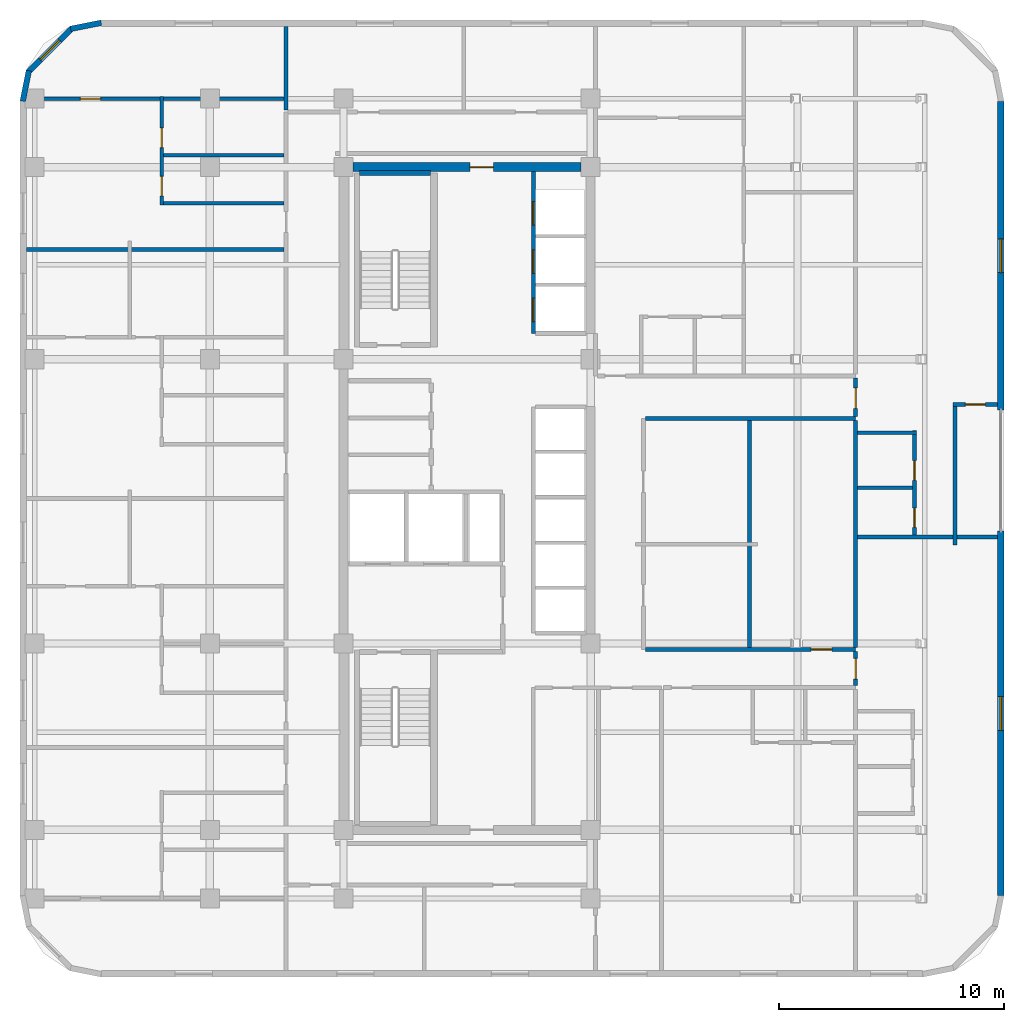
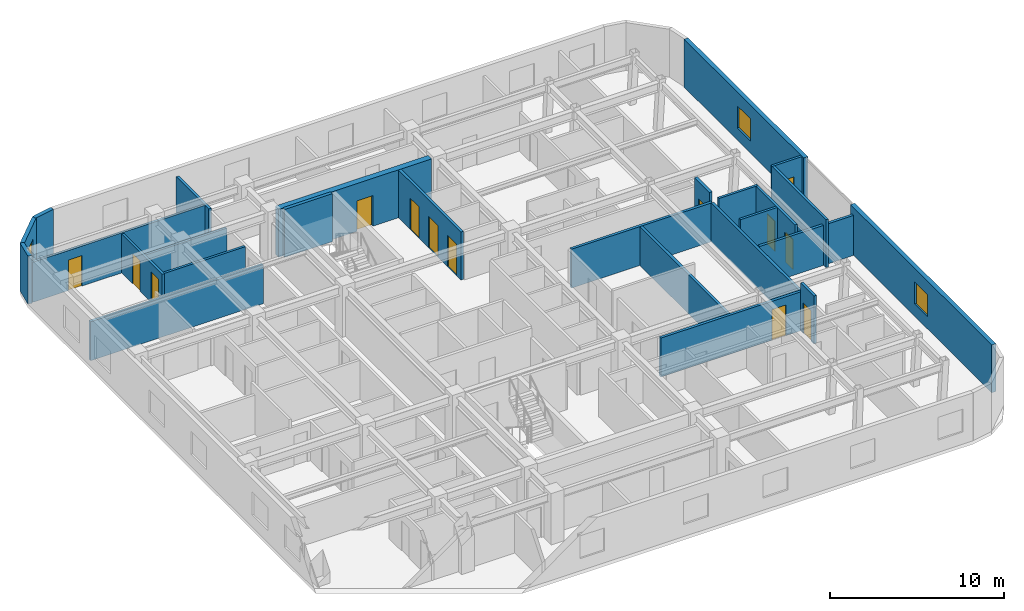
# One storey, part 7 of 9: 26 walls, 13 doors, 3 windows, 16 openings.
"""IFC4 building model written with IfcOpenShell, lengths in metres."""

from ifc_helpers import new_model, si_unit, direction, frame, frame_2d, origin, place, context, subcontext, project, spatial, rectangle, extrude, material, layer, layer_set, type_object, element, fill, save


model = new_model("IFC4")

# Units and contexts
model_context = context("Model", 3, precision=1e-05, world=origin(), true_north=direction((0.0, 1.0)))
body_context = subcontext(model_context, "Body", "Model", "MODEL_VIEW")
ifc_project = project(units=[si_unit("LENGTHUNIT", "METRE"), si_unit("AREAUNIT", "SQUARE_METRE"), si_unit("VOLUMEUNIT", "CUBIC_METRE"), si_unit("PLANEANGLEUNIT", "RADIAN"), si_unit("MASSUNIT", "GRAM", prefix="KILO")], contexts=[model_context])

# Site, building, storey
site_placement = place(None, origin())
site = spatial("IfcSite", under=ifc_project, at=site_placement, CompositionType="ELEMENT")
building_placement = place(site_placement, origin())
building = spatial("IfcBuilding", under=site, at=building_placement, Name="Ochreholt Gables", CompositionType="ELEMENT")
storey_placement = place(building_placement, frame((0.0, 0.0, 124.800048828125)))
storey = spatial("IfcBuildingStorey", under=building, at=storey_placement, Name="L32", CompositionType="ELEMENT", Elevation=124.800048828125)

# Wall, opening, door
ifc_material_1 = material(Name="Concrete 60 MPa", Category="concrete")
ifc_layer_1 = layer(ifc_material_1, 0.39990234375, Name="Concrete 60 MPa")
ifc_layer_set_1 = layer_set([ifc_layer_1], Name="Concrete 60 MPa")
wall_type_1 = type_object("IfcWallType", Name="WALL-CSW-400", PredefinedType="SHEAR", material=ifc_layer_set_1)
wall_1_placement = place(storey_placement, frame((24.625, 38.75, 0.0), z_axis=(0.0, 0.0, 1.0), x_axis=(1.0, 0.0, 0.0)))
wall_1 = element("IfcWall", 1, at=wall_1_placement, inside=storey, type_object=wall_type_1, Name="L32 Core North Shear Wall", PredefinedType="SHEAR", context=body_context, shape_type="SweptSolid", body=[
    extrude(rectangle(XDim=10.14990234375, YDim=0.39990234375, at=frame_2d((5.074951171875, 0.0))), origin(), (0.0, 0.0, 1.0), 3.35986328125),
])
opening_1_placement = place(wall_1_placement, frame((5.199951171875, 0.0, 0.0)))
opening_1 = element("IfcOpeningElement", 2, at=opening_1_placement, cuts=wall_1, Name="Opening D-FLB", PredefinedType="OPENING", context=body_context, shape_type="SweptSolid", body=[
    extrude(rectangle(XDim=1.050048828125, YDim=2.14990234375, at=frame_2d((0.52490234375, 1.074951171875))), frame((0.0, 0.2099609375, 0.0), z_axis=(0.0, -1.0, 0.0), x_axis=(1.0, 0.0, 0.0)), (0.0, 0.0, 1.0), 0.419921875),
])
ifc_material_2 = material(Name="Hollow Metal Steel", Category="steel")
door_type_1 = type_object("IfcDoorType", Name="DR-INT-FLB1050", OperationType="NOTDEFINED", PredefinedType="DOOR", material=ifc_material_2)
door_1_placement = place(opening_1_placement, frame((1.050048828125, 0.0, 0.0), z_axis=(0.0, 0.0, 1.0), x_axis=(-1.0, 0.0, 0.0)))
door_1 = element("IfcDoor", 3, at=door_1_placement, inside=storey, type_object=door_type_1, Name="L32 Door D-C2CRN-L32", OperationType="SINGLE_SWING_RIGHT", OverallHeight=2.14990234375, OverallWidth=1.050048828125, PredefinedType="DOOR", context=body_context, shape_type="SweptSolid", body=[
    extrude(rectangle(XDim=1.050048828125, YDim=2.14990234375, at=frame_2d((0.52490234375, 1.074951171875))), frame((0.0, 0.02490234375, 0.0), z_axis=(0.0, -1.0, 0.0), x_axis=(1.0, 0.0, 0.0)), (0.0, 0.0, 1.0), 0.050048828125),
])
fill(opening_1, door_1)

# Wall, opening, window
ifc_material_3 = material(Name="Precast concrete 40 MPa", Category="concrete")
ifc_layer_2 = layer(ifc_material_3, 0.280029296875, Name="Precast concrete 40 MPa")
ifc_layer_set_2 = layer_set([ifc_layer_2], Name="Precast concrete 40 MPa")
wall_type_2 = type_object("IfcWallType", Name="WALL-EXT-280", PredefinedType="SOLIDWALL", material=ifc_layer_set_2)
wall_2_placement = place(storey_placement, frame((53.4599609375, 6.320068359375, 0.0), z_axis=(0.0, 0.0, 1.0), x_axis=(0.0, 1.0, 0.0)))
wall_2 = element("IfcWall", 4, at=wall_2_placement, inside=storey, type_object=wall_type_2, Name="L32 East Facade Wall 1", PredefinedType="SOLIDWALL", context=body_context, shape_type="SweptSolid", body=[
    extrude(rectangle(XDim=16.225830078125, YDim=0.280029296875, at=frame_2d((8.11279296875, 0.0))), origin(), (0.0, 0.0, 1.0), 3.35986328125),
])
opening_2_placement = place(wall_2_placement, frame((7.363037109375, 0.0, 0.85009765625)))
opening_2 = element("IfcOpeningElement", 5, at=opening_2_placement, cuts=wall_2, Name="Opening WN-2", PredefinedType="OPENING", context=body_context, shape_type="SweptSolid", body=[
    extrude(rectangle(XDim=1.5, YDim=1.550048828125, at=frame_2d((0.75, 0.77490234375))), frame((0.0, 0.14990234375, 0.0), z_axis=(0.0, -1.0, 0.0), x_axis=(1.0, 0.0, 0.0)), (0.0, 0.0, 1.0), 0.300048828125),
])
ifc_material_4 = material(Name="Triple-Glazed Thermally Broken Aluminium Window", Category="aluminium")
window_type_1 = type_object("IfcWindowType", Name="WIN-RES-1500", PartitioningType="SINGLE_PANEL", PredefinedType="WINDOW", material=ifc_material_4)
window_1_placement = place(opening_2_placement, origin())
window_1 = element("IfcWindow", 6, at=window_1_placement, inside=storey, type_object=window_type_1, Name="L32 Window W-EXT-E1-L32-1", OverallHeight=1.550048828125, OverallWidth=1.5, PartitioningType="SINGLE_PANEL", PredefinedType="WINDOW", context=body_context, shape_type="SweptSolid", body=[
    extrude(rectangle(XDim=1.5, YDim=1.550048828125, at=frame_2d((0.75, 0.77490234375))), frame((0.0, 0.030029296875, 0.0), z_axis=(0.0, -1.0, 0.0), x_axis=(1.0, 0.0, 0.0)), (0.0, 0.0, 1.0), 0.06005859375),
])
fill(opening_2, window_1)

wall_3_placement = place(storey_placement, frame((53.4599609375, 27.93603515625, 0.0), z_axis=(0.0, 0.0, 1.0), x_axis=(0.0, 1.0, 0.0)))
wall_3 = element("IfcWall", 7, at=wall_3_placement, inside=storey, type_object=wall_type_2, Name="L32 East Facade Wall 2", PredefinedType="SOLIDWALL", context=body_context, shape_type="SweptSolid", body=[
    extrude(rectangle(XDim=13.743896484375, YDim=0.280029296875, at=frame_2d((6.8720703125, 0.0))), origin(), (0.0, 0.0, 1.0), 3.35986328125),
])
opening_3_placement = place(wall_3_placement, frame((6.1220703125, 0.0, 0.85009765625)))
opening_3 = element("IfcOpeningElement", 8, at=opening_3_placement, cuts=wall_3, Name="Opening WN-2", PredefinedType="OPENING", context=body_context, shape_type="SweptSolid", body=[
    extrude(rectangle(XDim=1.5, YDim=1.550048828125, at=frame_2d((0.75, 0.77490234375))), frame((0.0, 0.14990234375, 0.0), z_axis=(0.0, -1.0, 0.0), x_axis=(1.0, 0.0, 0.0)), (0.0, 0.0, 1.0), 0.300048828125),
])
window_2_placement = place(opening_3_placement, origin())
window_2 = element("IfcWindow", 9, at=window_2_placement, inside=storey, type_object=window_type_1, Name="L32 Window W-EXT-E2-L32-1", OverallHeight=1.550048828125, OverallWidth=1.5, PartitioningType="SINGLE_PANEL", PredefinedType="WINDOW", context=body_context, shape_type="SweptSolid", body=[
    extrude(rectangle(XDim=1.5, YDim=1.550048828125, at=frame_2d((0.75, 0.77490234375))), frame((0.0, 0.030029296875, 0.0), z_axis=(0.0, -1.0, 0.0), x_axis=(1.0, 0.0, 0.0)), (0.0, 0.0, 1.0), 0.06005859375),
])
fill(opening_3, window_2)

# Wall
ifc_layer_3 = layer(ifc_material_3, 0.25, Name="Precast concrete 40 MPa")
ifc_layer_set_3 = layer_set([ifc_layer_3], Name="Precast concrete 40 MPa")
wall_type_3 = type_object("IfcWallType", Name="WALL-EXT-CNR", PredefinedType="SOLIDWALL", material=ifc_layer_set_3)
wall_4_placement = place(storey_placement, frame((13.41650390625, 45.17578125, 0.0), z_axis=(0.0, 0.0, 1.0), x_axis=(-0.980809899341, -0.19496651342, 0.0)))
element("IfcWall", 10, at=wall_4_placement, inside=storey, type_object=wall_type_3, Name="L32 Rounded Corner Wall NW-1", PredefinedType="SOLIDWALL", context=body_context, shape_type="SweptSolid", body=[
    extrude(rectangle(XDim=1.388671875, YDim=0.25, at=frame_2d((0.6943359375, 0.0))), origin(), (0.0, 0.0, 1.0), 3.35986328125),
])

# Wall, opening, window
wall_5_placement = place(storey_placement, frame((12.10498046875, 44.931884765625, 0.0), z_axis=(0.0, 0.0, 1.0), x_axis=(-0.707151344399, -0.707062215165, 0.0)))
wall_5 = element("IfcWall", 11, at=wall_5_placement, inside=storey, type_object=wall_type_3, Name="L32 Rounded Corner Wall NW-2", PredefinedType="SOLIDWALL", context=body_context, shape_type="SweptSolid", body=[
    extrude(rectangle(XDim=2.7392578125, YDim=0.25, at=frame_2d((1.36962890625, 0.0))), origin(), (0.0, 0.0, 1.0), 3.35986328125),
])
opening_4_placement = place(wall_5_placement, frame((0.769775390625, 0.0, 0.85009765625)))
opening_4 = element("IfcOpeningElement", 12, at=opening_4_placement, cuts=wall_5, Name="Opening WN-3", PredefinedType="OPENING", context=body_context, shape_type="SweptSolid", body=[
    extrude(rectangle(XDim=1.199951171875, YDim=1.5, at=frame_2d((0.60009765625, 0.75))), frame((0.0, 0.135009765625, 0.0), z_axis=(0.0, -1.0, 0.0), x_axis=(1.0, 0.0, 0.0)), (0.0, 0.0, 1.0), 0.27001953125),
])
window_type_2 = type_object("IfcWindowType", Name="WIN-RES-1200", PartitioningType="SINGLE_PANEL", PredefinedType="WINDOW", material=ifc_material_4)
window_3_placement = place(opening_4_placement, origin())
window_3 = element("IfcWindow", 13, at=window_3_placement, inside=storey, type_object=window_type_2, Name="L32 Corner Bedroom Window NW", OverallHeight=1.5, OverallWidth=1.199951171875, PartitioningType="SINGLE_PANEL", PredefinedType="WINDOW", context=body_context, shape_type="SweptSolid", body=[
    extrude(rectangle(XDim=1.199951171875, YDim=1.5, at=frame_2d((0.60009765625, 0.75))), frame((0.0, 0.030029296875, 0.0), z_axis=(0.0, -1.0, 0.0), x_axis=(1.0, 0.0, 0.0)), (0.0, 0.0, 1.0), 0.06005859375),
])
fill(opening_4, window_3)

# Wall
wall_6_placement = place(storey_placement, frame((10.195068359375, 43.04541015625, 0.0), z_axis=(0.0, 0.0, 1.0), x_axis=(-0.195000137217, -0.980803214965, 0.0)))
element("IfcWall", 14, at=wall_6_placement, inside=storey, type_object=wall_type_3, Name="L32 Rounded Corner Wall NW-3", PredefinedType="SOLIDWALL", context=body_context, shape_type="SweptSolid", body=[
    extrude(rectangle(XDim=1.388427734375, YDim=0.25, at=frame_2d((0.6943359375, 0.0))), origin(), (0.0, 0.0, 1.0), 3.35986328125),
])

# Wall, opening, door
ifc_material_5 = material(Name="Fire-Rated Gypsum Acoustic Partition", Category="gypsum")
ifc_layer_4 = layer(ifc_material_5, 0.179931640625, Name="Fire-Rated Gypsum Acoustic Partition")
ifc_layer_set_4 = layer_set([ifc_layer_4], Name="Fire-Rated Gypsum Acoustic Partition")
wall_type_4 = type_object("IfcWallType", Name="WALL-INT-CR180", PredefinedType="STANDARD", material=ifc_layer_set_4)
wall_7_placement = place(storey_placement, frame((37.639892578125, 17.280029296875, 0.0), z_axis=(0.0, 0.0, 1.0), x_axis=(1.0, 0.0, 0.0)))
wall_7 = element("IfcWall", 15, at=wall_7_placement, inside=storey, type_object=wall_type_4, Name="L32 Interior Wall WI-C2SS2-L32", PredefinedType="STANDARD", context=body_context, shape_type="SweptSolid", body=[
    extrude(rectangle(XDim=9.360107421875, YDim=0.179931640625, at=frame_2d((4.68017578125, 0.0))), origin(), (0.0, 0.0, 1.0), 2.73095703125),
])
opening_5_placement = place(wall_7_placement, frame((7.37744140625, 0.0, 0.0)))
opening_5 = element("IfcOpeningElement", 16, at=opening_5_placement, cuts=wall_7, Name="Opening D-UN1", PredefinedType="OPENING", context=body_context, shape_type="SweptSolid", body=[
    extrude(rectangle(XDim=0.919921875, YDim=2.14990234375, at=frame_2d((0.4599609375, 1.074951171875))), frame((0.0, 0.099853515625, 0.0), z_axis=(0.0, -1.0, 0.0), x_axis=(1.0, 0.0, 0.0)), (0.0, 0.0, 1.0), 0.199951171875),
])
ifc_material_6 = material(Name="Engineered Oak Timber", Category="wood")
door_type_2 = type_object("IfcDoorType", Name="DR-INT-UNT920", OperationType="NOTDEFINED", PredefinedType="DOOR", material=ifc_material_6)
door_2_placement = place(opening_5_placement, origin())
door_2 = element("IfcDoor", 17, at=door_2_placement, inside=storey, type_object=door_type_2, Name="L32 Door D-U-L32M2-ENT", OperationType="SINGLE_SWING_LEFT", OverallHeight=2.14990234375, OverallWidth=0.919921875, PredefinedType="DOOR", context=body_context, shape_type="SweptSolid", body=[
    extrude(rectangle(XDim=0.919921875, YDim=2.14990234375, at=frame_2d((0.4599609375, 1.074951171875))), frame((0.0, 0.02490234375, 0.0), z_axis=(0.0, -1.0, 0.0), x_axis=(1.0, 0.0, 0.0)), (0.0, 0.0, 1.0), 0.050048828125),
])
fill(opening_5, door_2)

# Wall
wall_8_placement = place(storey_placement, frame((37.639892578125, 27.56005859375, 0.0), z_axis=(0.0, 0.0, 1.0), x_axis=(1.0, 0.0, 0.0)))
element("IfcWall", 18, at=wall_8_placement, inside=storey, type_object=wall_type_4, Name="L32 Interior Wall WI-C2SN1-L32", PredefinedType="STANDARD", context=body_context, shape_type="SweptSolid", body=[
    extrude(rectangle(XDim=9.360107421875, YDim=0.179931640625, at=frame_2d((4.68017578125, 0.0))), origin(), (0.0, 0.0, 1.0), 2.73095703125),
])

# Wall, opening, door
wall_9_placement = place(storey_placement, frame((47.0, 15.669921875, 0.0), z_axis=(0.0, 0.0, 1.0), x_axis=(0.0, 1.0, 0.0)))
wall_9 = element("IfcWall", 19, at=wall_9_placement, inside=storey, type_object=wall_type_4, Name="L32 Interior Wall WI-C2SSE-L32", PredefinedType="STANDARD", context=body_context, shape_type="SweptSolid", body=[
    extrude(rectangle(XDim=1.52001953125, YDim=0.179931640625, at=frame_2d((0.760009765625, 0.0))), origin(), (0.0, 0.0, 1.0), 3.35986328125),
])
opening_6_placement = place(wall_9_placement, frame((0.2900390625, 0.0, 0.0)))
opening_6 = element("IfcOpeningElement", 20, at=opening_6_placement, cuts=wall_9, Name="Opening D-UN1", PredefinedType="OPENING", context=body_context, shape_type="SweptSolid", body=[
    extrude(rectangle(XDim=0.919921875, YDim=2.14990234375, at=frame_2d((0.4599609375, 1.074951171875))), frame((0.0, 0.099853515625, 0.0), z_axis=(0.0, -1.0, 0.0), x_axis=(1.0, 0.0, 0.0)), (0.0, 0.0, 1.0), 0.199951171875),
])
door_3_placement = place(opening_6_placement, origin())
door_3 = element("IfcDoor", 21, at=door_3_placement, inside=storey, type_object=door_type_2, Name="L32 Door D-U-L32FES-ENT", OperationType="SINGLE_SWING_RIGHT", OverallHeight=2.14990234375, OverallWidth=0.919921875, PredefinedType="DOOR", context=body_context, shape_type="SweptSolid", body=[
    extrude(rectangle(XDim=0.919921875, YDim=2.14990234375, at=frame_2d((0.4599609375, 1.074951171875))), frame((0.0, 0.02490234375, 0.0), z_axis=(0.0, -1.0, 0.0), x_axis=(1.0, 0.0, 0.0)), (0.0, 0.0, 1.0), 0.050048828125),
])
fill(opening_6, door_3)

wall_10_placement = place(storey_placement, frame((47.0, 27.64990234375, 0.0), z_axis=(0.0, 0.0, 1.0), x_axis=(0.0, 1.0, 0.0)))
wall_10 = element("IfcWall", 22, at=wall_10_placement, inside=storey, type_object=wall_type_4, Name="L32 Interior Wall WI-C2SNE-L32", PredefinedType="STANDARD", context=body_context, shape_type="SweptSolid", body=[
    extrude(rectangle(XDim=1.72021484375, YDim=0.179931640625, at=frame_2d((0.860107421875, 0.0))), origin(), (0.0, 0.0, 1.0), 3.35986328125),
])
opening_7_placement = place(wall_10_placement, frame((0.360107421875, 0.0, 0.0)))
opening_7 = element("IfcOpeningElement", 23, at=opening_7_placement, cuts=wall_10, Name="Opening D-UN1", PredefinedType="OPENING", context=body_context, shape_type="SweptSolid", body=[
    extrude(rectangle(XDim=0.919921875, YDim=2.14990234375, at=frame_2d((0.4599609375, 1.074951171875))), frame((0.0, 0.099853515625, 0.0), z_axis=(0.0, -1.0, 0.0), x_axis=(1.0, 0.0, 0.0)), (0.0, 0.0, 1.0), 0.199951171875),
])
door_4_placement = place(opening_7_placement, origin())
door_4 = element("IfcDoor", 24, at=door_4_placement, inside=storey, type_object=door_type_2, Name="L32 Door D-U-L32FEN-ENT", OperationType="SINGLE_SWING_LEFT", OverallHeight=2.14990234375, OverallWidth=0.919921875, PredefinedType="DOOR", context=body_context, shape_type="SweptSolid", body=[
    extrude(rectangle(XDim=0.919921875, YDim=2.14990234375, at=frame_2d((0.4599609375, 1.074951171875))), frame((0.0, 0.02490234375, 0.0), z_axis=(0.0, -1.0, 0.0), x_axis=(1.0, 0.0, 0.0)), (0.0, 0.0, 1.0), 0.050048828125),
])
fill(opening_7, door_4)

# Walls
ifc_material_7 = material(Name="Double-Stud Acoustic Demising Wall", Category="gypsum")
ifc_layer_5 = layer(ifc_material_7, 0.179931640625, Name="Double-Stud Acoustic Demising Wall")
ifc_layer_set_5 = layer_set([ifc_layer_5], Name="Double-Stud Acoustic Demising Wall")
wall_type_5 = type_object("IfcWallType", Name="WALL-INT-DM180", PredefinedType="PARTITIONING", material=ifc_layer_set_5)
wall_11_placement = place(storey_placement, frame((21.64990234375, 41.2900390625, 0.0), z_axis=(0.0, 0.0, 1.0), x_axis=(0.0, 1.0, 0.0)))
element("IfcWall", 25, at=wall_11_placement, inside=storey, type_object=wall_type_5, Name="L32 Interior Wall WI-C2WWN-L32", PredefinedType="PARTITIONING", context=body_context, shape_type="SweptSolid", body=[
    extrude(rectangle(XDim=3.72998046875, YDim=0.179931640625, at=frame_2d((1.864990234375, 0.0))), origin(), (0.0, 0.0, 1.0), 2.808837890625),
])
for number, where, z_axis, x_axis, name in (
    (26, (42.27490234375, 17.3701171875, 0.0), (0.0, 0.0, 1.0), (0.0, 1.0, 0.0), "L32 Interior Wall WI-C2UDM-L32"),
    (27, (47.0, 17.3701171875, 0.0), (0.0, 0.0, 1.0), (0.0, 1.0, 0.0), "L32 Interior Wall WI-C2FEW2-L32"),
):
    element("IfcWall", number, at=place(storey_placement, frame(where, z_axis=z_axis, x_axis=x_axis)), inside=storey, type_object=wall_type_5, Name=name, PredefinedType="PARTITIONING", context=body_context, shape_type="SweptSolid", body=[
        extrude(rectangle(XDim=10.099853515625, YDim=0.179931640625, at=frame_2d((5.0498046875, 0.0))), origin(), (0.0, 0.0, 1.0), 2.73095703125),
    ])
wall_12_placement = place(storey_placement, frame((47.090087890625, 22.2958984375, 0.0), z_axis=(0.0, 0.0, 1.0), x_axis=(1.0, 0.0, 0.0)))
element("IfcWall", 28, at=wall_12_placement, inside=storey, type_object=wall_type_5, Name="L32 Interior Wall WI-C2FED-L32", PredefinedType="PARTITIONING", context=body_context, shape_type="SweptSolid", body=[
    extrude(rectangle(XDim=6.22998046875, YDim=0.179931640625, at=frame_2d((3.114990234375, 0.0))), origin(), (0.0, 0.0, 1.0), 2.808837890625),
])
wall_13_placement = place(storey_placement, frame((10.080078125, 35.075927734375, 0.0), z_axis=(0.0, 0.0, 1.0), x_axis=(1.0, 0.0, 0.0)))
element("IfcWall", 29, at=wall_13_placement, inside=storey, type_object=wall_type_5, Name="L32 Interior Wall WI-C2UDW4-L32", PredefinedType="PARTITIONING", context=body_context, shape_type="SweptSolid", body=[
    extrude(rectangle(XDim=11.47998046875, YDim=0.179931640625, at=frame_2d((5.739990234375, 0.0))), origin(), (0.0, 0.0, 1.0), 2.73095703125),
])
ifc_material_8 = material(Name="Moisture-Resistant Plumbing Chase Wall", Category="gypsum")
ifc_layer_6 = layer(ifc_material_8, 0.159912109375, Name="Moisture-Resistant Plumbing Chase Wall")
ifc_layer_set_6 = layer_set([ifc_layer_6], Name="Moisture-Resistant Plumbing Chase Wall")
wall_type_6 = type_object("IfcWallType", Name="WALL-INT-PL160", PredefinedType="PLUMBINGWALL", material=ifc_layer_set_6)
wall_14_placement = place(storey_placement, frame((47.090087890625, 26.93603515625, 0.0), z_axis=(0.0, 0.0, 1.0), x_axis=(1.0, 0.0, 0.0)))
element("IfcWall", 30, at=wall_14_placement, inside=storey, type_object=wall_type_6, Name="L32 Interior Wall WU-L32FEN-WYN", PredefinedType="PLUMBINGWALL", context=body_context, shape_type="SweptSolid", body=[
    extrude(rectangle(XDim=2.60595703125, YDim=0.159912109375, at=frame_2d((1.302978515625, 0.0))), origin(), (0.0, 0.0, 1.0), 3.35986328125),
])

# Wall, openings, doors
wall_15_placement = place(storey_placement, frame((49.615966796875, 22.385986328125, 0.0), z_axis=(0.0, 0.0, 1.0), x_axis=(0.0, 1.0, 0.0)))
wall_15 = element("IfcWall", 31, at=wall_15_placement, inside=storey, type_object=wall_type_6, Name="L32 Interior Wall WU-L32FEN-WX", PredefinedType="PLUMBINGWALL", context=body_context, shape_type="SweptSolid", body=[
    extrude(rectangle(XDim=4.639892578125, YDim=0.159912109375, at=frame_2d((2.31982421875, 0.0))), origin(), (0.0, 0.0, 1.0), 3.35986328125),
])
opening_8_placement = place(wall_15_placement, frame((0.330078125, 0.0, 0.0)))
opening_8 = element("IfcOpeningElement", 32, at=opening_8_placement, cuts=wall_15, Name="Opening D-BT1", PredefinedType="OPENING", context=body_context, shape_type="SweptSolid", body=[
    extrude(rectangle(XDim=0.860107421875, YDim=2.1201171875, at=frame_2d((0.43017578125, 1.06005859375))), frame((0.0, 0.08984375, 0.0), z_axis=(0.0, -1.0, 0.0), x_axis=(1.0, 0.0, 0.0)), (0.0, 0.0, 1.0), 0.179931640625),
])
opening_9_placement = place(wall_15_placement, frame((2.423095703125, 0.0, 0.0)))
opening_9 = element("IfcOpeningElement", 33, at=opening_9_placement, cuts=wall_15, Name="Opening D-GN2", PredefinedType="OPENING", context=body_context, shape_type="SweptSolid", body=[
    extrude(rectangle(XDim=0.8798828125, YDim=2.1201171875, at=frame_2d((0.43994140625, 1.06005859375))), frame((0.0, 0.08984375, 0.0), z_axis=(0.0, -1.0, 0.0), x_axis=(1.0, 0.0, 0.0)), (0.0, 0.0, 1.0), 0.179931640625),
])
door_type_3 = type_object("IfcDoorType", Name="DR-INT-BTH860", OperationType="NOTDEFINED", PredefinedType="DOOR", material=ifc_material_6)
door_5_placement = place(opening_8_placement, origin())
door_5 = element("IfcDoor", 34, at=door_5_placement, inside=storey, type_object=door_type_3, Name="L32 Door D-U-L32FEN-BTH", OperationType="SINGLE_SWING_RIGHT", OverallHeight=2.1201171875, OverallWidth=0.860107421875, PredefinedType="DOOR", context=body_context, shape_type="SweptSolid", body=[
    extrude(rectangle(XDim=0.860107421875, YDim=2.1201171875, at=frame_2d((0.43017578125, 1.06005859375))), frame((0.0, 0.02490234375, 0.0), z_axis=(0.0, -1.0, 0.0), x_axis=(1.0, 0.0, 0.0)), (0.0, 0.0, 1.0), 0.050048828125),
])
fill(opening_8, door_5)
door_type_4 = type_object("IfcDoorType", Name="DR-INT-GEN880", OperationType="NOTDEFINED", PredefinedType="DOOR", material=ifc_material_6)
door_6_placement = place(opening_9_placement, origin())
door_6 = element("IfcDoor", 35, at=door_6_placement, inside=storey, type_object=door_type_4, Name="L32 Door D-U-L32FEN-KIT", OperationType="SINGLE_SWING_LEFT", OverallHeight=2.1201171875, OverallWidth=0.8798828125, PredefinedType="DOOR", context=body_context, shape_type="SweptSolid", body=[
    extrude(rectangle(XDim=0.8798828125, YDim=2.1201171875, at=frame_2d((0.43994140625, 1.06005859375))), frame((0.0, 0.02490234375, 0.0), z_axis=(0.0, -1.0, 0.0), x_axis=(1.0, 0.0, 0.0)), (0.0, 0.0, 1.0), 0.050048828125),
])
fill(opening_9, door_6)

# Walls
wall_16_placement = place(storey_placement, frame((47.090087890625, 24.47900390625, 0.0), z_axis=(0.0, 0.0, 1.0), x_axis=(1.0, 0.0, 0.0)))
element("IfcWall", 36, at=wall_16_placement, inside=storey, type_object=wall_type_6, Name="L32 Interior Wall WU-L32FEN-WM", PredefinedType="PLUMBINGWALL", context=body_context, shape_type="SweptSolid", body=[
    extrude(rectangle(XDim=2.44580078125, YDim=0.159912109375, at=frame_2d((1.222900390625, 0.0))), origin(), (0.0, 0.0, 1.0), 3.35986328125),
])
wall_17_placement = place(storey_placement, frame((16.030029296875, 37.14501953125, 0.0), z_axis=(0.0, 0.0, 1.0), x_axis=(1.0, 0.0, 0.0)))
element("IfcWall", 37, at=wall_17_placement, inside=storey, type_object=wall_type_6, Name="L32 Interior Wall WU-L32W4-FYS", PredefinedType="PLUMBINGWALL", context=body_context, shape_type="SweptSolid", body=[
    extrude(rectangle(XDim=5.530029296875, YDim=0.159912109375, at=frame_2d((2.76513671875, 0.0))), origin(), (0.0, 0.0, 1.0), 2.73095703125),
])

# Wall, openings, doors
wall_18_placement = place(storey_placement, frame((16.110107421875, 37.054931640625, 0.0), z_axis=(0.0, 0.0, 1.0), x_axis=(0.0, 1.0, 0.0)))
wall_18 = element("IfcWall", 38, at=wall_18_placement, inside=storey, type_object=wall_type_6, Name="L32 Interior Wall WU-L32W4-WX", PredefinedType="PLUMBINGWALL", context=body_context, shape_type="SweptSolid", body=[
    extrude(rectangle(XDim=4.830078125, YDim=0.159912109375, at=frame_2d((2.4150390625, 0.0))), origin(), (0.0, 0.0, 1.0), 2.73095703125),
])
opening_10_placement = place(wall_18_placement, frame((0.419921875, 0.0, 0.0)))
opening_10 = element("IfcOpeningElement", 39, at=opening_10_placement, cuts=wall_18, Name="Opening D-BT1", PredefinedType="OPENING", context=body_context, shape_type="SweptSolid", body=[
    extrude(rectangle(XDim=0.860107421875, YDim=2.1201171875, at=frame_2d((0.43017578125, 1.06005859375))), frame((0.0, 0.08984375, 0.0), z_axis=(0.0, -1.0, 0.0), x_axis=(1.0, 0.0, 0.0)), (0.0, 0.0, 1.0), 0.179931640625),
])
opening_11_placement = place(wall_18_placement, frame((2.55908203125, 0.0, 0.0)))
opening_11 = element("IfcOpeningElement", 40, at=opening_11_placement, cuts=wall_18, Name="Opening D-GN2", PredefinedType="OPENING", context=body_context, shape_type="SweptSolid", body=[
    extrude(rectangle(XDim=0.8798828125, YDim=2.1201171875, at=frame_2d((0.43994140625, 1.06005859375))), frame((0.0, 0.08984375, 0.0), z_axis=(0.0, -1.0, 0.0), x_axis=(1.0, 0.0, 0.0)), (0.0, 0.0, 1.0), 0.179931640625),
])
door_7_placement = place(opening_10_placement, origin())
door_7 = element("IfcDoor", 41, at=door_7_placement, inside=storey, type_object=door_type_3, Name="L32 Door D-U-L32W4-BTH", OperationType="SINGLE_SWING_RIGHT", OverallHeight=2.1201171875, OverallWidth=0.860107421875, PredefinedType="DOOR", context=body_context, shape_type="SweptSolid", body=[
    extrude(rectangle(XDim=0.860107421875, YDim=2.1201171875, at=frame_2d((0.43017578125, 1.06005859375))), frame((0.0, 0.02490234375, 0.0), z_axis=(0.0, -1.0, 0.0), x_axis=(1.0, 0.0, 0.0)), (0.0, 0.0, 1.0), 0.050048828125),
])
fill(opening_10, door_7)
door_8_placement = place(opening_11_placement, origin())
door_8 = element("IfcDoor", 42, at=door_8_placement, inside=storey, type_object=door_type_4, Name="L32 Door D-U-L32W4-KIT", OperationType="SINGLE_SWING_LEFT", OverallHeight=2.1201171875, OverallWidth=0.8798828125, PredefinedType="DOOR", context=body_context, shape_type="SweptSolid", body=[
    extrude(rectangle(XDim=0.8798828125, YDim=2.1201171875, at=frame_2d((0.43994140625, 1.06005859375))), frame((0.0, 0.02490234375, 0.0), z_axis=(0.0, -1.0, 0.0), x_axis=(1.0, 0.0, 0.0)), (0.0, 0.0, 1.0), 0.050048828125),
])
fill(opening_11, door_8)

# Walls
wall_19_placement = place(storey_placement, frame((16.18994140625, 39.283935546875, 0.0), z_axis=(0.0, 0.0, 1.0), x_axis=(1.0, 0.0, 0.0)))
element("IfcWall", 43, at=wall_19_placement, inside=storey, type_object=wall_type_6, Name="L32 Interior Wall WU-L32W4-WK", PredefinedType="PLUMBINGWALL", context=body_context, shape_type="SweptSolid", body=[
    extrude(rectangle(XDim=5.3701171875, YDim=0.159912109375, at=frame_2d((2.68505859375, 0.0))), origin(), (0.0, 0.0, 1.0), 2.73095703125),
])
ifc_material_9 = material(Name="Gypsum Acoustic Stud Partition", Category="gypsum")
ifc_layer_7 = layer(ifc_material_9, 0.1650390625, Name="Gypsum Acoustic Stud Partition")
ifc_layer_set_7 = layer_set([ifc_layer_7], Name="Gypsum Acoustic Stud Partition")
wall_type_7 = type_object("IfcWallType", Name="WALL-INT-PT165", PredefinedType="PARTITIONING", material=ifc_layer_set_7)
wall_20_placement = place(storey_placement, frame((51.416015625, 21.93603515625, 0.0), z_axis=(0.0, 0.0, 1.0), x_axis=(0.0, 1.0, 0.0)))
element("IfcWall", 44, at=wall_20_placement, inside=storey, type_object=wall_type_7, Name="L32 Interior Wall WU-L32FEN-STW", PredefinedType="PARTITIONING", context=body_context, shape_type="SweptSolid", body=[
    extrude(rectangle(XDim=6.25, YDim=0.1650390625, at=frame_2d((3.125, 0.0))), origin(), (0.0, 0.0, 1.0), 3.35986328125),
])

# Wall, opening, door
wall_21_placement = place(storey_placement, frame((51.3359375, 28.18603515625, 0.0), z_axis=(0.0, 0.0, 1.0), x_axis=(1.0, 0.0, 0.0)))
wall_21 = element("IfcWall", 45, at=wall_21_placement, inside=storey, type_object=wall_type_7, Name="L32 Interior Wall WU-L32FEN-STN", PredefinedType="PARTITIONING", context=body_context, shape_type="SweptSolid", body=[
    extrude(rectangle(XDim=1.984130859375, YDim=0.1650390625, at=frame_2d((0.9921875, 0.0))), origin(), (0.0, 0.0, 1.0), 3.35986328125),
])
opening_12_placement = place(wall_21_placement, frame((0.550048828125, 0.0, 0.0)))
opening_12 = element("IfcOpeningElement", 46, at=opening_12_placement, cuts=wall_21, Name="Opening D-GN2", PredefinedType="OPENING", context=body_context, shape_type="SweptSolid", body=[
    extrude(rectangle(XDim=0.8798828125, YDim=2.1201171875, at=frame_2d((0.43994140625, 1.06005859375))), frame((0.0, 0.092529296875, 0.0), z_axis=(0.0, -1.0, 0.0), x_axis=(1.0, 0.0, 0.0)), (0.0, 0.0, 1.0), 0.18505859375),
])
door_9_placement = place(opening_12_placement, origin())
door_9 = element("IfcDoor", 47, at=door_9_placement, inside=storey, type_object=door_type_4, Name="L32 Door D-U-L32FEN-STD", OperationType="SINGLE_SWING_RIGHT", OverallHeight=2.1201171875, OverallWidth=0.8798828125, PredefinedType="DOOR", context=body_context, shape_type="SweptSolid", body=[
    extrude(rectangle(XDim=0.8798828125, YDim=2.1201171875, at=frame_2d((0.43994140625, 1.06005859375))), frame((0.0, 0.02490234375, 0.0), z_axis=(0.0, -1.0, 0.0), x_axis=(1.0, 0.0, 0.0)), (0.0, 0.0, 1.0), 0.050048828125),
])
fill(opening_12, door_9)

wall_22_placement = place(storey_placement, frame((10.099365234375, 41.794921875, 0.0), z_axis=(0.0, 0.0, 1.0), x_axis=(1.0, 0.0, 0.0)))
wall_22 = element("IfcWall", 48, at=wall_22_placement, inside=storey, type_object=wall_type_7, Name="L32 Interior Wall WU-L32W4-MN", PredefinedType="PARTITIONING", context=body_context, shape_type="SweptSolid", body=[
    extrude(rectangle(XDim=11.460693359375, YDim=0.1650390625, at=frame_2d((5.73046875, 0.0))), origin(), (0.0, 0.0, 1.0), 2.808837890625),
])
opening_13_placement = place(wall_22_placement, frame((2.390625, 0.0, 0.0)))
opening_13 = element("IfcOpeningElement", 49, at=opening_13_placement, cuts=wall_22, Name="Opening D-BD1", PredefinedType="OPENING", context=body_context, shape_type="SweptSolid", body=[
    extrude(rectangle(XDim=0.89990234375, YDim=2.139892578125, at=frame_2d((0.449951171875, 1.06982421875))), frame((0.0, 0.092529296875, 0.0), z_axis=(0.0, -1.0, 0.0), x_axis=(1.0, 0.0, 0.0)), (0.0, 0.0, 1.0), 0.18505859375),
])
door_type_5 = type_object("IfcDoorType", Name="DR-INT-BED900", OperationType="NOTDEFINED", PredefinedType="DOOR", material=ifc_material_6)
door_10_placement = place(opening_13_placement, origin())
door_10 = element("IfcDoor", 50, at=door_10_placement, inside=storey, type_object=door_type_5, Name="L32 Door D-U-L32W4-BD1", OperationType="SINGLE_SWING_RIGHT", OverallHeight=2.139892578125, OverallWidth=0.89990234375, PredefinedType="DOOR", context=body_context, shape_type="SweptSolid", body=[
    extrude(rectangle(XDim=0.89990234375, YDim=2.139892578125, at=frame_2d((0.449951171875, 1.06982421875))), frame((0.0, 0.02490234375, 0.0), z_axis=(0.0, -1.0, 0.0), x_axis=(1.0, 0.0, 0.0)), (0.0, 0.0, 1.0), 0.050048828125),
])
fill(opening_13, door_10)

# Wall, openings, doors
ifc_material_10 = material(Name="Gypsum Shaftliner and Steel Stud", Category="steel")
ifc_layer_8 = layer(ifc_material_10, 0.179931640625, Name="Gypsum Shaftliner and Steel Stud")
ifc_layer_set_8 = layer_set([ifc_layer_8], Name="Gypsum Shaftliner and Steel Stud")
wall_type_8 = type_object("IfcWallType", Name="WALL-INT-SH180", PredefinedType="STANDARD", material=ifc_layer_set_8)
wall_23_placement = place(storey_placement, frame((32.64990234375, 31.35009765625, 0.0), z_axis=(0.0, 0.0, 1.0), x_axis=(0.0, 1.0, 0.0)))
wall_23 = element("IfcWall", 51, at=wall_23_placement, inside=storey, type_object=wall_type_8, Name="L32 Interior Wall WI-LFM-FR-L32", PredefinedType="STANDARD", context=body_context, shape_type="SweptSolid", body=[
    extrude(rectangle(XDim=7.199951171875, YDim=0.179931640625, at=frame_2d((3.60009765625, 0.0))), origin(), (0.0, 0.0, 1.0), 3.35986328125),
])
opening_14_placement = place(wall_23_placement, frame((0.52001953125, 0.0, 0.0)))
opening_14 = element("IfcOpeningElement", 52, at=opening_14_placement, cuts=wall_23, Name="Opening LD-PX", PredefinedType="OPENING", context=body_context, shape_type="SweptSolid", body=[
    extrude(rectangle(XDim=1.050048828125, YDim=2.199951171875, at=frame_2d((0.52490234375, 1.10009765625))), frame((0.0, 0.099853515625, 0.0), z_axis=(0.0, -1.0, 0.0), x_axis=(1.0, 0.0, 0.0)), (0.0, 0.0, 1.0), 0.199951171875),
])
opening_15_placement = place(wall_23_placement, frame((2.669921875, 0.0, 0.0)))
opening_15 = element("IfcOpeningElement", 53, at=opening_15_placement, cuts=wall_23, Name="Opening LD-PX", PredefinedType="OPENING", context=body_context, shape_type="SweptSolid", body=[
    extrude(rectangle(XDim=1.050048828125, YDim=2.199951171875, at=frame_2d((0.52490234375, 1.10009765625))), frame((0.0, 0.099853515625, 0.0), z_axis=(0.0, -1.0, 0.0), x_axis=(1.0, 0.0, 0.0)), (0.0, 0.0, 1.0), 0.199951171875),
])
opening_16_placement = place(wall_23_placement, frame((4.820068359375, 0.0, 0.0)))
opening_16 = element("IfcOpeningElement", 54, at=opening_16_placement, cuts=wall_23, Name="Opening LD-PX", PredefinedType="OPENING", context=body_context, shape_type="SweptSolid", body=[
    extrude(rectangle(XDim=1.050048828125, YDim=2.199951171875, at=frame_2d((0.52490234375, 1.10009765625))), frame((0.0, 0.099853515625, 0.0), z_axis=(0.0, -1.0, 0.0), x_axis=(1.0, 0.0, 0.0)), (0.0, 0.0, 1.0), 0.199951171875),
])
ifc_material_11 = material(Name="Stainless Steel", Category="steel")
door_type_6 = type_object("IfcDoorType", Name="DR-LFT-PX1050", OperationType="NOTDEFINED", PredefinedType="DOOR", material=ifc_material_11)
door_11_placement = place(opening_14_placement, origin())
door_11 = element("IfcDoor", 55, at=door_11_placement, inside=storey, type_object=door_type_6, Name="L32 Door LD-M1-L32", OperationType="SLIDING_TO_LEFT", OverallHeight=2.199951171875, OverallWidth=1.050048828125, PredefinedType="DOOR", context=body_context, shape_type="SweptSolid", body=[
    extrude(rectangle(XDim=1.050048828125, YDim=2.199951171875, at=frame_2d((0.52490234375, 1.10009765625))), frame((0.0, 0.02490234375, 0.0), z_axis=(0.0, -1.0, 0.0), x_axis=(1.0, 0.0, 0.0)), (0.0, 0.0, 1.0), 0.050048828125),
])
fill(opening_14, door_11)
door_12_placement = place(opening_15_placement, origin())
door_12 = element("IfcDoor", 56, at=door_12_placement, inside=storey, type_object=door_type_6, Name="L32 Door LD-M2-L32", OperationType="SLIDING_TO_LEFT", OverallHeight=2.199951171875, OverallWidth=1.050048828125, PredefinedType="DOOR", context=body_context, shape_type="SweptSolid", body=[
    extrude(rectangle(XDim=1.050048828125, YDim=2.199951171875, at=frame_2d((0.52490234375, 1.10009765625))), frame((0.0, 0.02490234375, 0.0), z_axis=(0.0, -1.0, 0.0), x_axis=(1.0, 0.0, 0.0)), (0.0, 0.0, 1.0), 0.050048828125),
])
fill(opening_15, door_12)
door_13_placement = place(opening_16_placement, origin())
door_13 = element("IfcDoor", 57, at=door_13_placement, inside=storey, type_object=door_type_6, Name="L32 Door LD-M3-L32", OperationType="SLIDING_TO_LEFT", OverallHeight=2.199951171875, OverallWidth=1.050048828125, PredefinedType="DOOR", context=body_context, shape_type="SweptSolid", body=[
    extrude(rectangle(XDim=1.050048828125, YDim=2.199951171875, at=frame_2d((0.52490234375, 1.10009765625))), frame((0.0, 0.02490234375, 0.0), z_axis=(0.0, -1.0, 0.0), x_axis=(1.0, 0.0, 0.0)), (0.0, 0.0, 1.0), 0.050048828125),
])
fill(opening_16, door_13)

# Wall
ifc_material_12 = material(Name="Concrete 50 MPa", Category="concrete")
ifc_layer_9 = layer(ifc_material_12, 0.219970703125, Name="Concrete 50 MPa")
ifc_layer_set_9 = layer_set([ifc_layer_9], Name="Concrete 50 MPa")
wall_type_9 = type_object("IfcWallType", Name="WALL-STW-220", PredefinedType="SHEAR", material=ifc_layer_set_9)
wall_24_placement = place(storey_placement, frame((24.919921875, 38.489990234375, 0.0), z_axis=(0.0, 0.0, 1.0), x_axis=(1.0, 0.0, 0.0)))
element("IfcWall", 58, at=wall_24_placement, inside=storey, type_object=wall_type_9, Name="L32 Exit Stair 2 North Wall", PredefinedType="SHEAR", context=body_context, shape_type="SweptSolid", body=[
    extrude(rectangle(XDim=3.16015625, YDim=0.219970703125, at=frame_2d((1.580078125, 0.0))), origin(), (0.0, 0.0, 1.0), 3.35986328125),
])

save(model, "model.ifc")
